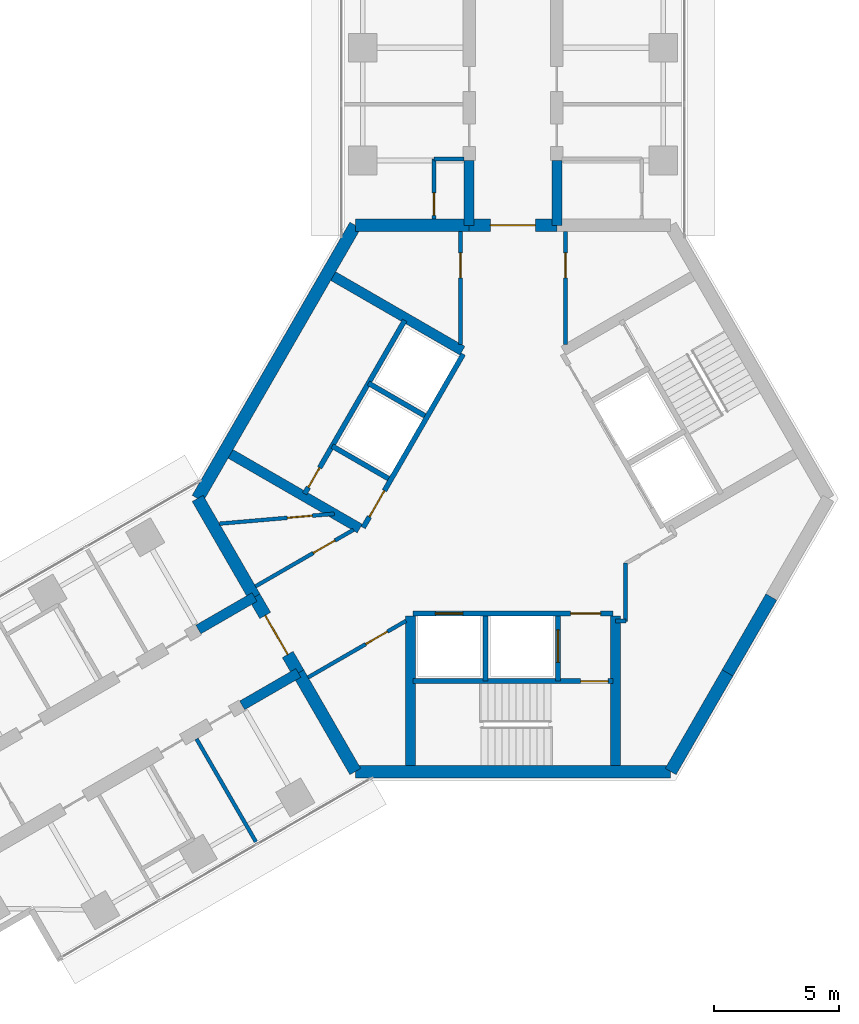
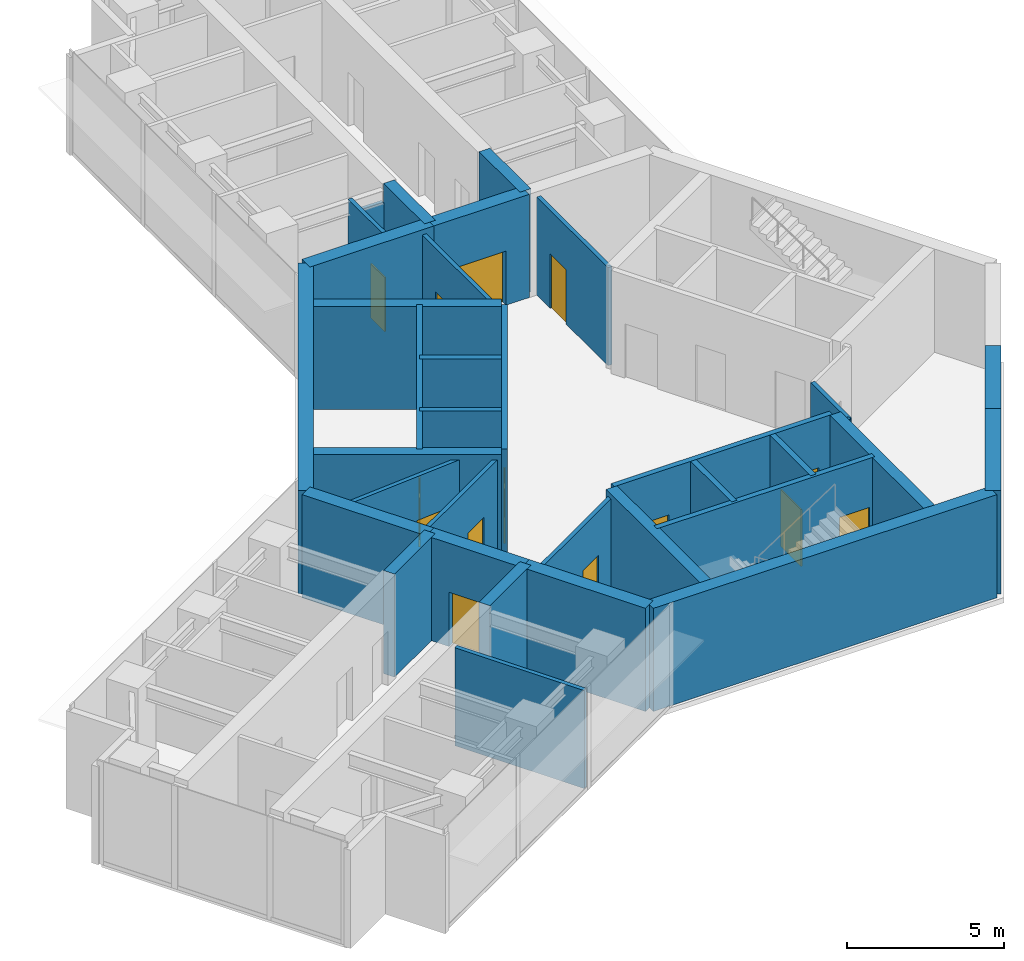
# One storey, part 14 of 17: 35 walls, 14 doors, 14 openings.
"""IFC4 building model written with IfcOpenShell, lengths in metres."""

from ifc_helpers import new_model, si_unit, direction, frame, frame_2d, origin, place, context, subcontext, project, spatial, rectangle, extrude, material, layer, layer_set, type_object, element, fill, save


model = new_model("IFC4")

# Units and contexts
model_context = context("Model", 3, precision=1e-05, world=origin(), true_north=direction((0.0, 1.0)))
body_context = subcontext(model_context, "Body", "Model", "MODEL_VIEW")
ifc_project = project(units=[si_unit("LENGTHUNIT", "METRE"), si_unit("AREAUNIT", "SQUARE_METRE"), si_unit("VOLUMEUNIT", "CUBIC_METRE"), si_unit("PLANEANGLEUNIT", "RADIAN"), si_unit("MASSUNIT", "GRAM", prefix="KILO")], contexts=[model_context])

# Site, building, storey
site_placement = place(None, origin())
site = spatial("IfcSite", under=ifc_project, at=site_placement, CompositionType="ELEMENT")
building_placement = place(site_placement, origin())
building = spatial("IfcBuilding", under=site, at=building_placement, Name="Upepo Twin Towers", CompositionType="ELEMENT")
storey_placement = place(building_placement, frame((0.0, 0.0, 214.5)))
storey = spatial("IfcBuildingStorey", under=building, at=storey_placement, Name="L52", CompositionType="ELEMENT", Elevation=214.5)

# Walls
ifc_material_1 = material(Name="Concrete C60/75", Category="concrete")
ifc_layer_1 = layer(ifc_material_1, 0.39990234375)
ifc_layer_set_1 = layer_set([ifc_layer_1], Name="Concrete C60/75")
wall_type_1 = type_object("IfcWallType", Name="Buttress wall 400 RC", PredefinedType="SHEAR", material=ifc_layer_set_1)
for number, where, z_axis, x_axis, name in (
    (1, (56.75, -7.091552734375, 0.0), (0.0, 0.0, 1.0), (0.0, 1.0, 0.0), "T2 wing A buttress wall L"),
    (2, (60.25, -7.091552734375, 0.0), (0.0, 0.0, 1.0), (0.0, 1.0, 0.0), "T2 wing A buttress wall R"),
):
    element("IfcWall", number, at=place(storey_placement, frame(where, z_axis=z_axis, x_axis=x_axis)), inside=storey, type_object=wall_type_1, Name=name, PredefinedType="SHEAR", context=body_context, shape_type="SweptSolid", body=[
        extrude(rectangle(XDim=2.591552734375, YDim=0.39990234375, at=frame_2d((1.2958984375, 0.0))), origin(), (0.0, 0.0, 1.0), 4.0),
    ])
for number, where, z_axis, x_axis, name in (
    (3, (49.92822265625, -24.9697265625, 0.0), (0.0, 0.0, 1.0), (-0.866031863473, -0.499988811324, 0.0), "T2 wing B buttress wall L"),
    (4, (48.17822265625, -21.938720703125, 0.0), (0.0, 0.0, 1.0), (-0.866072649678, -0.499918158782, 0.0), "T2 wing B buttress wall R"),
):
    element("IfcWall", number, at=place(storey_placement, frame(where, z_axis=z_axis, x_axis=x_axis)), inside=storey, type_object=wall_type_1, Name=name, PredefinedType="SHEAR", context=body_context, shape_type="SweptSolid", body=[
        extrude(rectangle(XDim=2.591796875, YDim=0.39990234375, at=frame_2d((1.2958984375, 0.0))), origin(), (0.0, 0.0, 1.0), 4.0),
    ])

# Wall, opening, door
ifc_material_2 = material(Name="Concrete C60/75", Category="concrete")
ifc_layer_2 = layer(ifc_material_2, 0.5)
ifc_layer_set_2 = layer_set([ifc_layer_2], Name="Concrete C60/75")
wall_type_2 = type_object("IfcWallType", Name="Core wall 500 RC", PredefinedType="SHEAR", material=ifc_layer_set_2)
wall_1_placement = place(storey_placement, frame((60.25, -7.091552734375, 0.0), z_axis=(0.0, 0.0, 1.0), x_axis=(-1.0, 0.0, 0.0)))
wall_1 = element("IfcWall", 5, at=wall_1_placement, inside=storey, type_object=wall_type_2, Name="T2 core wall 000", PredefinedType="SHEAR", context=body_context, shape_type="SweptSolid", body=[
    extrude(rectangle(XDim=3.5, YDim=0.5, at=frame_2d((1.75, 0.0))), origin(), (0.0, 0.0, 1.0), 4.0),
])
opening_1_placement = place(wall_1_placement, frame((0.85009765625, 0.0, 0.0)))
opening_1 = element("IfcOpeningElement", 6, at=opening_1_placement, cuts=wall_1, Name="Opening D2", PredefinedType="OPENING", context=body_context, shape_type="SweptSolid", body=[
    extrude(rectangle(XDim=1.800048828125, YDim=2.10009765625, at=frame_2d((0.89990234375, 1.050048828125))), frame((0.0, 0.260009765625, 0.0), z_axis=(0.0, -1.0, 0.0), x_axis=(1.0, 0.0, 0.0)), (0.0, 0.0, 1.0), 0.52001953125),
])
ifc_material_3 = material(Name="Timber doorset", Category="wood")
door_type_1 = type_object("IfcDoorType", Name="Corridor double door 1800 FD60", OperationType="DOUBLE_DOOR_DOUBLE_SWING", PredefinedType="DOOR", material=ifc_material_3)
door_1_placement = place(opening_1_placement, origin())
door_1 = element("IfcDoor", 7, at=door_1_placement, inside=storey, type_object=door_type_1, Name="T2 L52 wing A corridor door", OperationType="DOUBLE_DOOR_DOUBLE_SWING", OverallHeight=2.10009765625, OverallWidth=1.800048828125, PredefinedType="DOOR", context=body_context, shape_type="SweptSolid", body=[
    extrude(rectangle(XDim=1.800048828125, YDim=2.10009765625, at=frame_2d((0.89990234375, 1.050048828125))), frame((0.0, 0.02490234375, 0.0), z_axis=(0.0, -1.0, 0.0), x_axis=(1.0, 0.0, 0.0)), (0.0, 0.0, 1.0), 0.050048828125),
])
fill(opening_1, door_1)

# Walls
wall_2_placement = place(storey_placement, frame((56.75, -7.091552734375, 0.0), z_axis=(0.0, 0.0, 1.0), x_axis=(-1.0, 0.0, 0.0)))
element("IfcWall", 8, at=wall_2_placement, inside=storey, type_object=wall_type_2, Name="T2 core wall 000 L", PredefinedType="SHEAR", context=body_context, shape_type="SweptSolid", body=[
    extrude(rectangle(XDim=4.5478515625, YDim=0.5, at=frame_2d((2.27392578125, 0.0))), origin(), (0.0, 0.0, 1.0), 4.0),
])
wall_3_placement = place(storey_placement, frame((52.2021484375, -7.091552734375, 0.0), z_axis=(0.0, 0.0, 1.0), x_axis=(-0.500005998175, -0.866021940709, 0.0)))
element("IfcWall", 9, at=wall_3_placement, inside=storey, type_object=wall_type_2, Name="T2 core wall 060", PredefinedType="SHEAR", context=body_context, shape_type="SweptSolid", body=[
    extrude(rectangle(XDim=12.595947265625, YDim=0.5, at=frame_2d((6.2978515625, 0.0))), origin(), (0.0, 0.0, 1.0), 4.0),
])
wall_4_placement = place(storey_placement, frame((45.904052734375, -18.0, 0.0), z_axis=(0.0, 0.0, 1.0), x_axis=(0.500024481964, -0.866011268655, 0.0)))
element("IfcWall", 10, at=wall_4_placement, inside=storey, type_object=wall_type_2, Name="T2 core wall 120 R", PredefinedType="SHEAR", context=body_context, shape_type="SweptSolid", body=[
    extrude(rectangle(XDim=4.548095703125, YDim=0.5, at=frame_2d((2.27392578125, 0.0))), origin(), (0.0, 0.0, 1.0), 4.0),
])

# Wall, opening, door
wall_5_placement = place(storey_placement, frame((48.17822265625, -21.938720703125, 0.0), z_axis=(0.0, 0.0, 1.0), x_axis=(0.500010275428, -0.866019471182, 0.0)))
wall_5 = element("IfcWall", 11, at=wall_5_placement, inside=storey, type_object=wall_type_2, Name="T2 core wall 120", PredefinedType="SHEAR", context=body_context, shape_type="SweptSolid", body=[
    extrude(rectangle(XDim=3.5, YDim=0.5, at=frame_2d((1.75, 0.0))), origin(), (0.0, 0.0, 1.0), 4.0),
])
opening_2_placement = place(wall_5_placement, frame((0.85009765625, 0.0, 0.0)))
opening_2 = element("IfcOpeningElement", 12, at=opening_2_placement, cuts=wall_5, Name="Opening D2", PredefinedType="OPENING", context=body_context, shape_type="SweptSolid", body=[
    extrude(rectangle(XDim=1.800048828125, YDim=2.10009765625, at=frame_2d((0.89990234375, 1.050048828125))), frame((0.0, 0.260009765625, 0.0), z_axis=(0.0, -1.0, 0.0), x_axis=(1.0, 0.0, 0.0)), (0.0, 0.0, 1.0), 0.52001953125),
])
door_2_placement = place(opening_2_placement, origin())
door_2 = element("IfcDoor", 13, at=door_2_placement, inside=storey, type_object=door_type_1, Name="T2 L52 wing B corridor door", OperationType="DOUBLE_DOOR_DOUBLE_SWING", OverallHeight=2.10009765625, OverallWidth=1.800048828125, PredefinedType="DOOR", context=body_context, shape_type="SweptSolid", body=[
    extrude(rectangle(XDim=1.800048828125, YDim=2.10009765625, at=frame_2d((0.89990234375, 1.050048828125))), frame((0.0, 0.02490234375, 0.0), z_axis=(0.0, -1.0, 0.0), x_axis=(1.0, 0.0, 0.0)), (0.0, 0.0, 1.0), 0.050048828125),
])
fill(opening_2, door_2)

# Walls
wall_6_placement = place(storey_placement, frame((49.92822265625, -24.9697265625, 0.0), z_axis=(0.0, 0.0, 1.0), x_axis=(0.499984222037, -0.866034513004, 0.0)))
element("IfcWall", 14, at=wall_6_placement, inside=storey, type_object=wall_type_2, Name="T2 core wall 120 L", PredefinedType="SHEAR", context=body_context, shape_type="SweptSolid", body=[
    extrude(rectangle(XDim=4.548095703125, YDim=0.5, at=frame_2d((2.27392578125, 0.0))), origin(), (0.0, 0.0, 1.0), 4.0),
])
wall_7_placement = place(storey_placement, frame((52.2021484375, -28.908447265625, 0.0), z_axis=(0.0, 0.0, 1.0), x_axis=(1.0, 0.0, 0.0)))
element("IfcWall", 15, at=wall_7_placement, inside=storey, type_object=wall_type_2, Name="T2 core wall 180", PredefinedType="SHEAR", context=body_context, shape_type="SweptSolid", body=[
    extrude(rectangle(XDim=12.595703125, YDim=0.5, at=frame_2d((6.2978515625, 0.0))), origin(), (0.0, 0.0, 1.0), 4.0),
])
wall_8_placement = place(storey_placement, frame((64.7978515625, -28.908447265625, 0.0), z_axis=(0.0, 0.0, 1.0), x_axis=(0.499984222037, 0.866034513004, 0.0)))
element("IfcWall", 16, at=wall_8_placement, inside=storey, type_object=wall_type_2, Name="T2 core wall 240 R", PredefinedType="SHEAR", context=body_context, shape_type="SweptSolid", body=[
    extrude(rectangle(XDim=4.548095703125, YDim=0.5, at=frame_2d((2.27392578125, 0.0))), origin(), (0.0, 0.0, 1.0), 4.0),
])
wall_9_placement = place(storey_placement, frame((67.07177734375, -24.9697265625, 0.0), z_axis=(0.0, 0.0, 1.0), x_axis=(0.500010275428, 0.866019471182, 0.0)))
element("IfcWall", 17, at=wall_9_placement, inside=storey, type_object=wall_type_2, Name="T2 core wall 240", PredefinedType="SHEAR", context=body_context, shape_type="SweptSolid", body=[
    extrude(rectangle(XDim=3.5, YDim=0.5, at=frame_2d((1.75, 0.0))), origin(), (0.0, 0.0, 1.0), 4.0),
])

# Wall, opening, door
ifc_material_4 = material(Name="Concrete C40/50", Category="concrete")
ifc_layer_3 = layer(ifc_material_4, 0.199951171875)
ifc_layer_set_3 = layer_set([ifc_layer_3], Name="Concrete C40/50")
wall_type_3 = type_object("IfcWallType", Name="Shaft wall 200 RC", PredefinedType="SHEAR", material=ifc_layer_set_3)
wall_10_placement = place(storey_placement, frame((56.516357421875, -12.23583984375, 0.0), z_axis=(0.0, 0.0, 1.0), x_axis=(-0.49999894854, -0.866026010844, 0.0)))
wall_10 = element("IfcWall", 18, at=wall_10_placement, inside=storey, type_object=wall_type_3, Name="T2 core W60 front wall", PredefinedType="SHEAR", context=body_context, shape_type="SweptSolid", body=[
    extrude(rectangle(XDim=8.0, YDim=0.199951171875, at=frame_2d((4.0, 0.0))), origin(), (0.0, 0.0, 1.0), 4.0),
])
opening_3_placement = place(wall_10_placement, frame((6.300048828125, 0.0, 0.0)))
opening_3 = element("IfcOpeningElement", 19, at=opening_3_placement, cuts=wall_10, Name="Opening D4", PredefinedType="OPENING", context=body_context, shape_type="SweptSolid", body=[
    extrude(rectangle(XDim=1.199951171875, YDim=2.10009765625, at=frame_2d((0.60009765625, 1.050048828125))), frame((0.0, 0.10986328125, 0.0), z_axis=(0.0, -1.0, 0.0), x_axis=(1.0, 0.0, 0.0)), (0.0, 0.0, 1.0), 0.219970703125),
])
ifc_material_5 = material(Name="Timber doorset", Category="wood")
door_type_2 = type_object("IfcDoorType", Name="Lobby door 1200 FD60", OperationType="SINGLE_SWING_LEFT", PredefinedType="DOOR", material=ifc_material_5)
door_3_placement = place(opening_3_placement, origin())
door_3 = element("IfcDoor", 20, at=door_3_placement, inside=storey, type_object=door_type_2, Name="T2 L52 W60 lobby door", OperationType="SINGLE_SWING_RIGHT", OverallHeight=2.10009765625, OverallWidth=1.199951171875, PredefinedType="DOOR", context=body_context, shape_type="SweptSolid", body=[
    extrude(rectangle(XDim=1.199951171875, YDim=2.10009765625, at=frame_2d((0.60009765625, 1.050048828125))), frame((0.0, 0.02490234375, 0.0), z_axis=(0.0, -1.0, 0.0), x_axis=(1.0, 0.0, 0.0)), (0.0, 0.0, 1.0), 0.050048828125),
])
fill(opening_3, door_3)

# Walls
for number, where, z_axis, x_axis, name in (
    (21, (54.979736328125, -14.697265625, 0.0), (0.0, 0.0, 1.0), (-0.866062058628, 0.499936506574, 0.0), "T2 core W60 shaft divider"),
    (22, (53.52978515625, -17.208740234375, 0.0), (0.0, 0.0, 1.0), (-0.866062058628, 0.499936506574, 0.0), "T2 core W60 lobby wall"),
):
    element("IfcWall", number, at=place(storey_placement, frame(where, z_axis=z_axis, x_axis=x_axis)), inside=storey, type_object=wall_type_3, Name=name, PredefinedType="SHEAR", context=body_context, shape_type="SweptSolid", body=[
        extrude(rectangle(XDim=2.599853515625, YDim=0.199951171875, at=frame_2d((1.2998046875, 0.0))), origin(), (0.0, 0.0, 1.0), 4.0),
    ])

# Wall, opening, door
wall_11_placement = place(storey_placement, frame((54.177978515625, -10.885986328125, 0.0), z_axis=(0.0, 0.0, 1.0), x_axis=(-0.49999894854, -0.866026010844, 0.0)))
wall_11 = element("IfcWall", 23, at=wall_11_placement, inside=storey, type_object=wall_type_3, Name="T2 core W60 stair wall", PredefinedType="SHEAR", context=body_context, shape_type="SweptSolid", body=[
    extrude(rectangle(XDim=8.0, YDim=0.199951171875, at=frame_2d((4.0, 0.0))), origin(), (0.0, 0.0, 1.0), 4.0),
])
opening_4_placement = place(wall_11_placement, frame((6.800048828125, 0.0, 0.0)))
opening_4 = element("IfcOpeningElement", 24, at=opening_4_placement, cuts=wall_11, Name="Opening D9", PredefinedType="OPENING", context=body_context, shape_type="SweptSolid", body=[
    extrude(rectangle(XDim=0.89990234375, YDim=2.10009765625, at=frame_2d((0.449951171875, 1.050048828125))), frame((0.0, 0.10986328125, 0.0), z_axis=(0.0, -1.0, 0.0), x_axis=(1.0, 0.0, 0.0)), (0.0, 0.0, 1.0), 0.219970703125),
])
ifc_material_6 = material(Name="Timber doorset", Category="wood")
door_type_3 = type_object("IfcDoorType", Name="Riser door 900 FD60", OperationType="SINGLE_SWING_LEFT", PredefinedType="DOOR", material=ifc_material_6)
door_4_placement = place(opening_4_placement, origin())
door_4 = element("IfcDoor", 25, at=door_4_placement, inside=storey, type_object=door_type_3, Name="T2 L52 riser door", OperationType="SINGLE_SWING_RIGHT", OverallHeight=2.10009765625, OverallWidth=0.89990234375, PredefinedType="DOOR", context=body_context, shape_type="SweptSolid", body=[
    extrude(rectangle(XDim=0.89990234375, YDim=2.10009765625, at=frame_2d((0.449951171875, 1.050048828125))), frame((0.0, 0.02490234375, 0.0), z_axis=(0.0, -1.0, 0.0), x_axis=(1.0, 0.0, 0.0)), (0.0, 0.0, 1.0), 0.050048828125),
])
fill(opening_4, door_4)

# Wall, openings, doors
wall_12_placement = place(storey_placement, frame((54.5, -22.60009765625, 0.0), z_axis=(0.0, 0.0, 1.0), x_axis=(1.0, 0.0, 0.0)))
wall_12 = element("IfcWall", 26, at=wall_12_placement, inside=storey, type_object=wall_type_3, Name="T2 core W180 front wall", PredefinedType="SHEAR", context=body_context, shape_type="SweptSolid", body=[
    extrude(rectangle(XDim=8.0, YDim=0.199951171875, at=frame_2d((4.0, 0.0))), origin(), (0.0, 0.0, 1.0), 4.0),
])
opening_5_placement = place(wall_12_placement, frame((6.300048828125, 0.0, 0.0)))
opening_5 = element("IfcOpeningElement", 27, at=opening_5_placement, cuts=wall_12, Name="Opening D4", PredefinedType="OPENING", context=body_context, shape_type="SweptSolid", body=[
    extrude(rectangle(XDim=1.199951171875, YDim=2.10009765625, at=frame_2d((0.60009765625, 1.050048828125))), frame((0.0, 0.10986328125, 0.0), z_axis=(0.0, -1.0, 0.0), x_axis=(1.0, 0.0, 0.0)), (0.0, 0.0, 1.0), 0.219970703125),
])
opening_6_placement = place(wall_12_placement, frame((0.89990234375, 0.0, 0.0)))
opening_6 = element("IfcOpeningElement", 28, at=opening_6_placement, cuts=wall_12, Name="Opening LD1", PredefinedType="OPENING", context=body_context, shape_type="SweptSolid", body=[
    extrude(rectangle(XDim=1.10009765625, YDim=2.199951171875, at=frame_2d((0.550048828125, 1.10009765625))), frame((0.0, 0.10986328125, 0.0), z_axis=(0.0, -1.0, 0.0), x_axis=(1.0, 0.0, 0.0)), (0.0, 0.0, 1.0), 0.219970703125),
])
ifc_material_7 = material(Name="Steel doorset", Category="steel")
door_type_4 = type_object("IfcDoorType", Name="Lift landing door 1100", OperationType="DOUBLE_DOOR_SLIDING", PredefinedType="DOOR", material=ifc_material_7)
door_5_placement = place(opening_6_placement, origin())
door_5 = element("IfcDoor", 29, at=door_5_placement, inside=storey, type_object=door_type_4, Name="T2 L52 lift SV1 landing door", OperationType="DOUBLE_DOOR_SLIDING", OverallHeight=2.199951171875, OverallWidth=1.10009765625, PredefinedType="DOOR", context=body_context, shape_type="SweptSolid", body=[
    extrude(rectangle(XDim=1.10009765625, YDim=2.199951171875, at=frame_2d((0.550048828125, 1.10009765625))), frame((0.0, 0.02490234375, 0.0), z_axis=(0.0, -1.0, 0.0), x_axis=(1.0, 0.0, 0.0)), (0.0, 0.0, 1.0), 0.050048828125),
])
fill(opening_6, door_5)
door_6_placement = place(opening_5_placement, origin())
door_6 = element("IfcDoor", 30, at=door_6_placement, inside=storey, type_object=door_type_2, Name="T2 L52 W180 lobby door", OperationType="SINGLE_SWING_RIGHT", OverallHeight=2.10009765625, OverallWidth=1.199951171875, PredefinedType="DOOR", context=body_context, shape_type="SweptSolid", body=[
    extrude(rectangle(XDim=1.199951171875, YDim=2.10009765625, at=frame_2d((0.60009765625, 1.050048828125))), frame((0.0, 0.02490234375, 0.0), z_axis=(0.0, -1.0, 0.0), x_axis=(1.0, 0.0, 0.0)), (0.0, 0.0, 1.0), 0.050048828125),
])
fill(opening_5, door_6)

# Wall
wall_13_placement = place(storey_placement, frame((57.39990234375, -22.699951171875, 0.0), z_axis=(0.0, 0.0, 1.0), x_axis=(0.0, -1.0, 0.0)))
element("IfcWall", 31, at=wall_13_placement, inside=storey, type_object=wall_type_3, Name="T2 core W180 shaft divider", PredefinedType="SHEAR", context=body_context, shape_type="SweptSolid", body=[
    extrude(rectangle(XDim=2.60009765625, YDim=0.199951171875, at=frame_2d((1.300048828125, 0.0))), origin(), (0.0, 0.0, 1.0), 4.0),
])

# Wall, opening, door
wall_14_placement = place(storey_placement, frame((60.300048828125, -22.699951171875, 0.0), z_axis=(0.0, 0.0, 1.0), x_axis=(0.0, -1.0, 0.0)))
wall_14 = element("IfcWall", 32, at=wall_14_placement, inside=storey, type_object=wall_type_3, Name="T2 core W180 lobby wall", PredefinedType="SHEAR", context=body_context, shape_type="SweptSolid", body=[
    extrude(rectangle(XDim=2.60009765625, YDim=0.199951171875, at=frame_2d((1.300048828125, 0.0))), origin(), (0.0, 0.0, 1.0), 4.0),
])
opening_7_placement = place(wall_14_placement, frame((0.550048828125, 0.0, 0.0)))
opening_7 = element("IfcOpeningElement", 33, at=opening_7_placement, cuts=wall_14, Name="Opening LD2", PredefinedType="OPENING", context=body_context, shape_type="SweptSolid", body=[
    extrude(rectangle(XDim=1.300048828125, YDim=2.199951171875, at=frame_2d((0.64990234375, 1.10009765625))), frame((0.0, 0.10986328125, 0.0), z_axis=(0.0, -1.0, 0.0), x_axis=(1.0, 0.0, 0.0)), (0.0, 0.0, 1.0), 0.219970703125),
])
ifc_material_8 = material(Name="Steel doorset", Category="steel")
door_type_5 = type_object("IfcDoorType", Name="Firefighting lift landing door 1300", OperationType="DOUBLE_DOOR_SLIDING", PredefinedType="DOOR", material=ifc_material_8)
door_7_placement = place(opening_7_placement, origin())
door_7 = element("IfcDoor", 34, at=door_7_placement, inside=storey, type_object=door_type_5, Name="T2 L52 firefighting lift landing door", OperationType="DOUBLE_DOOR_SLIDING", OverallHeight=2.199951171875, OverallWidth=1.300048828125, PredefinedType="DOOR", context=body_context, shape_type="SweptSolid", body=[
    extrude(rectangle(XDim=1.300048828125, YDim=2.199951171875, at=frame_2d((0.64990234375, 1.10009765625))), frame((0.0, 0.02490234375, 0.0), z_axis=(0.0, -1.0, 0.0), x_axis=(1.0, 0.0, 0.0)), (0.0, 0.0, 1.0), 0.050048828125),
])
fill(opening_7, door_7)

wall_15_placement = place(storey_placement, frame((54.5, -25.300048828125, 0.0), z_axis=(0.0, 0.0, 1.0), x_axis=(1.0, 0.0, 0.0)))
wall_15 = element("IfcWall", 35, at=wall_15_placement, inside=storey, type_object=wall_type_3, Name="T2 core W180 stair wall", PredefinedType="SHEAR", context=body_context, shape_type="SweptSolid", body=[
    extrude(rectangle(XDim=8.0, YDim=0.199951171875, at=frame_2d((4.0, 0.0))), origin(), (0.0, 0.0, 1.0), 4.0),
])
opening_8_placement = place(wall_15_placement, frame((6.699951171875, 0.0, 0.0)))
opening_8 = element("IfcOpeningElement", 36, at=opening_8_placement, cuts=wall_15, Name="Opening D3", PredefinedType="OPENING", context=body_context, shape_type="SweptSolid", body=[
    extrude(rectangle(XDim=1.10009765625, YDim=2.10009765625, at=frame_2d((0.550048828125, 1.050048828125))), frame((0.0, 0.10986328125, 0.0), z_axis=(0.0, -1.0, 0.0), x_axis=(1.0, 0.0, 0.0)), (0.0, 0.0, 1.0), 0.219970703125),
])
ifc_material_9 = material(Name="Timber doorset", Category="wood")
door_type_6 = type_object("IfcDoorType", Name="Stair door 1100 FD60", OperationType="SINGLE_SWING_LEFT", PredefinedType="DOOR", material=ifc_material_9)
door_8_placement = place(opening_8_placement, origin())
door_8 = element("IfcDoor", 37, at=door_8_placement, inside=storey, type_object=door_type_6, Name="T2 L52 stair door", OperationType="SINGLE_SWING_RIGHT", OverallHeight=2.10009765625, OverallWidth=1.10009765625, PredefinedType="DOOR", context=body_context, shape_type="SweptSolid", body=[
    extrude(rectangle(XDim=1.10009765625, YDim=2.10009765625, at=frame_2d((0.550048828125, 1.050048828125))), frame((0.0, 0.02490234375, 0.0), z_axis=(0.0, -1.0, 0.0), x_axis=(1.0, 0.0, 0.0)), (0.0, 0.0, 1.0), 0.050048828125),
])
fill(opening_8, door_8)

# Walls
ifc_material_10 = material(Name="Concrete C40/50", Category="concrete")
ifc_layer_4 = layer(ifc_material_10, 0.39990234375)
ifc_layer_set_4 = layer_set([ifc_layer_4], Name="Concrete C40/50")
wall_type_4 = type_object("IfcWallType", Name="Shaft wall 400 RC", PredefinedType="SHEAR", material=ifc_layer_set_4)
wall_16_placement = place(storey_placement, frame((52.379638671875, -19.20068359375, 0.0), z_axis=(0.0, 0.0, 1.0), x_axis=(-0.866012946976, 0.500021575205, 0.0)))
element("IfcWall", 38, at=wall_16_placement, inside=storey, type_object=wall_type_4, Name="T2 core W60 side wall N", PredefinedType="SHEAR", context=body_context, shape_type="SweptSolid", body=[
    extrude(rectangle(XDim=5.958251953125, YDim=0.39990234375, at=frame_2d((2.97900390625, 0.0))), origin(), (0.0, 0.0, 1.0), 4.0),
])
for number, where, z_axis, x_axis, name in (
    (39, (56.479736328125, -12.099365234375, 0.0), (0.0, 0.0, 1.0), (-0.86602319114, 0.500003832394, 0.0), "T2 core W60 side wall S"),
    (40, (62.60009765625, -22.699951171875, 0.0), (0.0, 0.0, 1.0), (0.0, -1.0, 0.0), "T2 core W180 side wall N"),
    (41, (54.39990234375, -22.699951171875, 0.0), (0.0, 0.0, 1.0), (0.0, -1.0, 0.0), "T2 core W180 side wall S"),
):
    element("IfcWall", number, at=place(storey_placement, frame(where, z_axis=z_axis, x_axis=x_axis)), inside=storey, type_object=wall_type_4, Name=name, PredefinedType="SHEAR", context=body_context, shape_type="SweptSolid", body=[
        extrude(rectangle(XDim=5.95849609375, YDim=0.39990234375, at=frame_2d((2.979248046875, 0.0))), origin(), (0.0, 0.0, 1.0), 4.0),
    ])

# Wall, opening, door
ifc_material_11 = material(Name="Gypsum board on steel studs", Category="steel")
ifc_layer_5 = layer(ifc_material_11, 0.14990234375)
ifc_layer_set_5 = layer_set([ifc_layer_5], Name="Teaching partition 150 acoustic")
wall_type_5 = type_object("IfcWallType", Name="Teaching partition 150 acoustic", PredefinedType="PARTITIONING", material=ifc_layer_set_5)
wall_17_placement = place(storey_placement, frame((55.35009765625, -6.842041015625, 0.0), z_axis=(0.0, 0.0, 1.0), x_axis=(0.0, 1.0, 0.0)))
wall_17 = element("IfcWall", 42, at=wall_17_placement, inside=storey, type_object=wall_type_5, Name="T2 WC bay partition AL at 11.16", PredefinedType="PARTITIONING", context=body_context, shape_type="SweptSolid", body=[
    extrude(rectangle(XDim=2.400146484375, YDim=0.14990234375, at=frame_2d((1.2001953125, 0.0))), origin(), (0.0, 0.0, 1.0), 3.800048828125),
])
opening_9_placement = place(wall_17_placement, frame((0.14990234375, 0.0, 0.0)))
opening_9 = element("IfcOpeningElement", 43, at=opening_9_placement, cuts=wall_17, Name="Opening D14", PredefinedType="OPENING", context=body_context, shape_type="SweptSolid", body=[
    extrude(rectangle(XDim=0.89990234375, YDim=2.10009765625, at=frame_2d((0.449951171875, 1.050048828125))), frame((0.0, 0.0849609375, 0.0), z_axis=(0.0, -1.0, 0.0), x_axis=(1.0, 0.0, 0.0)), (0.0, 0.0, 1.0), 0.169921875),
])
ifc_material_12 = material(Name="Timber doorset", Category="wood")
door_type_7 = type_object("IfcDoorType", Name="Office door 900 FD30", OperationType="SINGLE_SWING_LEFT", PredefinedType="DOOR", material=ifc_material_12)
door_9_placement = place(opening_9_placement, origin())
door_9 = element("IfcDoor", 44, at=door_9_placement, inside=storey, type_object=door_type_7, Name="T2 L52 WC bay inner room door", OperationType="SINGLE_SWING_LEFT", OverallHeight=2.10009765625, OverallWidth=0.89990234375, PredefinedType="DOOR", context=body_context, shape_type="SweptSolid", body=[
    extrude(rectangle(XDim=0.89990234375, YDim=2.10009765625, at=frame_2d((0.449951171875, 1.050048828125))), frame((0.0, 0.02490234375, 0.0), z_axis=(0.0, -1.0, 0.0), x_axis=(1.0, 0.0, 0.0)), (0.0, 0.0, 1.0), 0.050048828125),
])
fill(opening_9, door_9)

# Walls
wall_18_placement = place(storey_placement, frame((56.550048828125, -4.44189453125, 0.0), z_axis=(0.0, 0.0, 1.0), x_axis=(-1.0, 0.0, 0.0)))
element("IfcWall", 45, at=wall_18_placement, inside=storey, type_object=wall_type_5, Name="T2 WC bay partition AL end at 13.56", PredefinedType="PARTITIONING", context=body_context, shape_type="SweptSolid", body=[
    extrude(rectangle(XDim=1.199951171875, YDim=0.14990234375, at=frame_2d((0.60009765625, 0.0))), origin(), (0.0, 0.0, 1.0), 3.266845703125),
])
wall_19_placement = place(storey_placement, frame((45.860107421875, -27.60693359375, 0.0), z_axis=(0.0, 0.0, 1.0), x_axis=(0.499986429846, -0.866033238375, 0.0)))
element("IfcWall", 46, at=wall_19_placement, inside=storey, type_object=wall_type_5, Name="T2 partition BL at 15.75", PredefinedType="PARTITIONING", context=body_context, shape_type="SweptSolid", body=[
    extrude(rectangle(XDim=4.750244140625, YDim=0.14990234375, at=frame_2d((2.375, 0.0))), origin(), (0.0, 0.0, 1.0), 3.800048828125),
])
wall_20_placement = place(storey_placement, frame((63.02001953125, -22.89990234375, 0.0), z_axis=(0.0, 0.0, 1.0), x_axis=(-1.0, 0.0, 0.0)))
element("IfcWall", 47, at=wall_20_placement, inside=storey, type_object=wall_type_5, Name="T2 core room partition 1", PredefinedType="PARTITIONING", context=body_context, shape_type="SweptSolid", body=[
    extrude(rectangle(XDim=0.429931640625, YDim=0.14990234375, at=frame_2d((0.21484375, 0.0))), origin(), (0.0, 0.0, 1.0), 3.800048828125),
])

# Wall, opening, door
wall_21_placement = place(storey_placement, frame((54.230224609375, -22.889892578125, 0.0), z_axis=(0.0, 0.0, 1.0), x_axis=(-0.866006805923, -0.500032211057, 0.0)))
wall_21 = element("IfcWall", 48, at=wall_21_placement, inside=storey, type_object=wall_type_5, Name="T2 core room partition 2", PredefinedType="PARTITIONING", context=body_context, shape_type="SweptSolid", body=[
    extrude(rectangle(XDim=4.525634765625, YDim=0.14990234375, at=frame_2d((2.2626953125, 0.0))), origin(), (0.0, 0.0, 1.0), 3.800048828125),
])
opening_10_placement = place(wall_21_placement, frame((0.857666015625, 0.0, 0.0)))
opening_10 = element("IfcOpeningElement", 49, at=opening_10_placement, cuts=wall_21, Name="Opening D1", PredefinedType="OPENING", context=body_context, shape_type="SweptSolid", body=[
    extrude(rectangle(XDim=1.0, YDim=2.10009765625, at=frame_2d((0.5, 1.050048828125))), frame((0.0, 0.0849609375, 0.0), z_axis=(0.0, -1.0, 0.0), x_axis=(1.0, 0.0, 0.0)), (0.0, 0.0, 1.0), 0.169921875),
])
ifc_material_13 = material(Name="Timber doorset", Category="wood")
door_type_8 = type_object("IfcDoorType", Name="Room door 1000 FD30", OperationType="SINGLE_SWING_LEFT", PredefinedType="DOOR", material=ifc_material_13)
door_10_placement = place(opening_10_placement, origin())
door_10 = element("IfcDoor", 50, at=door_10_placement, inside=storey, type_object=door_type_8, Name="T2 L52 core room door K3", OperationType="SINGLE_SWING_LEFT", OverallHeight=2.10009765625, OverallWidth=1.0, PredefinedType="DOOR", context=body_context, shape_type="SweptSolid", body=[
    extrude(rectangle(XDim=1.0, YDim=2.10009765625, at=frame_2d((0.5, 1.050048828125))), frame((0.0, 0.02490234375, 0.0), z_axis=(0.0, -1.0, 0.0), x_axis=(1.0, 0.0, 0.0)), (0.0, 0.0, 1.0), 0.050048828125),
])
fill(opening_10, door_10)

wall_22_placement = place(storey_placement, frame((48.2109375, -21.515380859375, 0.0), z_axis=(0.0, 0.0, 1.0), x_axis=(0.866043651885, 0.499968392031, 0.0)))
wall_22 = element("IfcWall", 51, at=wall_22_placement, inside=storey, type_object=wall_type_5, Name="T2 core room partition 3", PredefinedType="PARTITIONING", context=body_context, shape_type="SweptSolid", body=[
    extrude(rectangle(XDim=4.525634765625, YDim=0.14990234375, at=frame_2d((2.2626953125, 0.0))), origin(), (0.0, 0.0, 1.0), 3.800048828125),
])
opening_11_placement = place(wall_22_placement, frame((2.66796875, 0.0, 0.0)))
opening_11 = element("IfcOpeningElement", 52, at=opening_11_placement, cuts=wall_22, Name="Opening D1", PredefinedType="OPENING", context=body_context, shape_type="SweptSolid", body=[
    extrude(rectangle(XDim=1.0, YDim=2.10009765625, at=frame_2d((0.5, 1.050048828125))), frame((0.0, 0.0849609375, 0.0), z_axis=(0.0, -1.0, 0.0), x_axis=(1.0, 0.0, 0.0)), (0.0, 0.0, 1.0), 0.169921875),
])
door_11_placement = place(opening_11_placement, origin())
door_11 = element("IfcDoor", 53, at=door_11_placement, inside=storey, type_object=door_type_8, Name="T2 L52 core room door K2", OperationType="SINGLE_SWING_RIGHT", OverallHeight=2.10009765625, OverallWidth=1.0, PredefinedType="DOOR", context=body_context, shape_type="SweptSolid", body=[
    extrude(rectangle(XDim=1.0, YDim=2.10009765625, at=frame_2d((0.5, 1.050048828125))), frame((0.0, 0.02490234375, 0.0), z_axis=(0.0, -1.0, 0.0), x_axis=(1.0, 0.0, 0.0)), (0.0, 0.0, 1.0), 0.050048828125),
])
fill(opening_11, door_11)

wall_23_placement = place(storey_placement, frame((56.39990234375, -11.857421875, 0.0), z_axis=(0.0, 0.0, 1.0), x_axis=(0.0, 1.0, 0.0)))
wall_23 = element("IfcWall", 54, at=wall_23_placement, inside=storey, type_object=wall_type_5, Name="T2 core room partition 4", PredefinedType="PARTITIONING", context=body_context, shape_type="SweptSolid", body=[
    extrude(rectangle(XDim=4.525634765625, YDim=0.14990234375, at=frame_2d((2.2626953125, 0.0))), origin(), (0.0, 0.0, 1.0), 3.800048828125),
])
opening_12_placement = place(wall_23_placement, frame((2.66796875, 0.0, 0.0)))
opening_12 = element("IfcOpeningElement", 55, at=opening_12_placement, cuts=wall_23, Name="Opening D1", PredefinedType="OPENING", context=body_context, shape_type="SweptSolid", body=[
    extrude(rectangle(XDim=1.0, YDim=2.10009765625, at=frame_2d((0.5, 1.050048828125))), frame((0.0, 0.0849609375, 0.0), z_axis=(0.0, -1.0, 0.0), x_axis=(1.0, 0.0, 0.0)), (0.0, 0.0, 1.0), 0.169921875),
])
door_12_placement = place(opening_12_placement, origin())
door_12 = element("IfcDoor", 56, at=door_12_placement, inside=storey, type_object=door_type_8, Name="T2 L52 core room door K6", OperationType="SINGLE_SWING_RIGHT", OverallHeight=2.10009765625, OverallWidth=1.0, PredefinedType="DOOR", context=body_context, shape_type="SweptSolid", body=[
    extrude(rectangle(XDim=1.0, YDim=2.10009765625, at=frame_2d((0.5, 1.050048828125))), frame((0.0, 0.02490234375, 0.0), z_axis=(0.0, -1.0, 0.0), x_axis=(1.0, 0.0, 0.0)), (0.0, 0.0, 1.0), 0.050048828125),
])
fill(opening_12, door_12)

wall_24_placement = place(storey_placement, frame((60.60009765625, -7.331787109375, 0.0), z_axis=(0.0, 0.0, 1.0), x_axis=(0.0, -1.0, 0.0)))
wall_24 = element("IfcWall", 57, at=wall_24_placement, inside=storey, type_object=wall_type_5, Name="T2 core room partition 5", PredefinedType="PARTITIONING", context=body_context, shape_type="SweptSolid", body=[
    extrude(rectangle(XDim=4.525634765625, YDim=0.14990234375, at=frame_2d((2.2626953125, 0.0))), origin(), (0.0, 0.0, 1.0), 3.800048828125),
])
opening_13_placement = place(wall_24_placement, frame((0.857666015625, 0.0, 0.0)))
opening_13 = element("IfcOpeningElement", 58, at=opening_13_placement, cuts=wall_24, Name="Opening D1", PredefinedType="OPENING", context=body_context, shape_type="SweptSolid", body=[
    extrude(rectangle(XDim=1.0, YDim=2.10009765625, at=frame_2d((0.5, 1.050048828125))), frame((0.0, 0.0849609375, 0.0), z_axis=(0.0, -1.0, 0.0), x_axis=(1.0, 0.0, 0.0)), (0.0, 0.0, 1.0), 0.169921875),
])
door_13_placement = place(opening_13_placement, origin())
door_13 = element("IfcDoor", 59, at=door_13_placement, inside=storey, type_object=door_type_8, Name="T2 L52 core room door K5", OperationType="SINGLE_SWING_LEFT", OverallHeight=2.10009765625, OverallWidth=1.0, PredefinedType="DOOR", context=body_context, shape_type="SweptSolid", body=[
    extrude(rectangle(XDim=1.0, YDim=2.10009765625, at=frame_2d((0.5, 1.050048828125))), frame((0.0, 0.02490234375, 0.0), z_axis=(0.0, -1.0, 0.0), x_axis=(1.0, 0.0, 0.0)), (0.0, 0.0, 1.0), 0.050048828125),
])
fill(opening_13, door_13)

# Wall
wall_25_placement = place(storey_placement, frame((63.0, -20.578125, 0.0), z_axis=(0.0, 0.0, 1.0), x_axis=(0.0, -1.0, 0.0)))
element("IfcWall", 60, at=wall_25_placement, inside=storey, type_object=wall_type_5, Name="T2 core room partition 8", PredefinedType="PARTITIONING", context=body_context, shape_type="SweptSolid", body=[
    extrude(rectangle(XDim=2.341796875, YDim=0.14990234375, at=frame_2d((1.1708984375, 0.0))), origin(), (0.0, 0.0, 1.0), 3.800048828125),
])

# Wall, opening, door
wall_26_placement = place(storey_placement, frame((51.36376953125, -18.614013671875, 0.0), z_axis=(0.0, 0.0, 1.0), x_axis=(-0.996314617181, -0.085774026317, 0.0)))
wall_26 = element("IfcWall", 61, at=wall_26_placement, inside=storey, type_object=wall_type_5, Name="T2 core room partition 9", PredefinedType="PARTITIONING", context=body_context, shape_type="SweptSolid", body=[
    extrude(rectangle(XDim=4.60546875, YDim=0.14990234375, at=frame_2d((2.302734375, 0.0))), origin(), (0.0, 0.0, 1.0), 3.800048828125),
])
opening_14_placement = place(wall_26_placement, frame((0.881591796875, 0.0, 0.0)))
opening_14 = element("IfcOpeningElement", 62, at=opening_14_placement, cuts=wall_26, Name="Opening D1", PredefinedType="OPENING", context=body_context, shape_type="SweptSolid", body=[
    extrude(rectangle(XDim=1.0, YDim=2.10009765625, at=frame_2d((0.5, 1.050048828125))), frame((0.0, 0.0849609375, 0.0), z_axis=(0.0, -1.0, 0.0), x_axis=(1.0, 0.0, 0.0)), (0.0, 0.0, 1.0), 0.169921875),
])
door_14_placement = place(opening_14_placement, origin())
door_14 = element("IfcDoor", 63, at=door_14_placement, inside=storey, type_object=door_type_8, Name="T2 L52 core room door K1", OperationType="SINGLE_SWING_LEFT", OverallHeight=2.10009765625, OverallWidth=1.0, PredefinedType="DOOR", context=body_context, shape_type="SweptSolid", body=[
    extrude(rectangle(XDim=1.0, YDim=2.10009765625, at=frame_2d((0.5, 1.050048828125))), frame((0.0, 0.02490234375, 0.0), z_axis=(0.0, -1.0, 0.0), x_axis=(1.0, 0.0, 0.0)), (0.0, 0.0, 1.0), 0.050048828125),
])
fill(opening_14, door_14)

save(model, "model.ifc")
